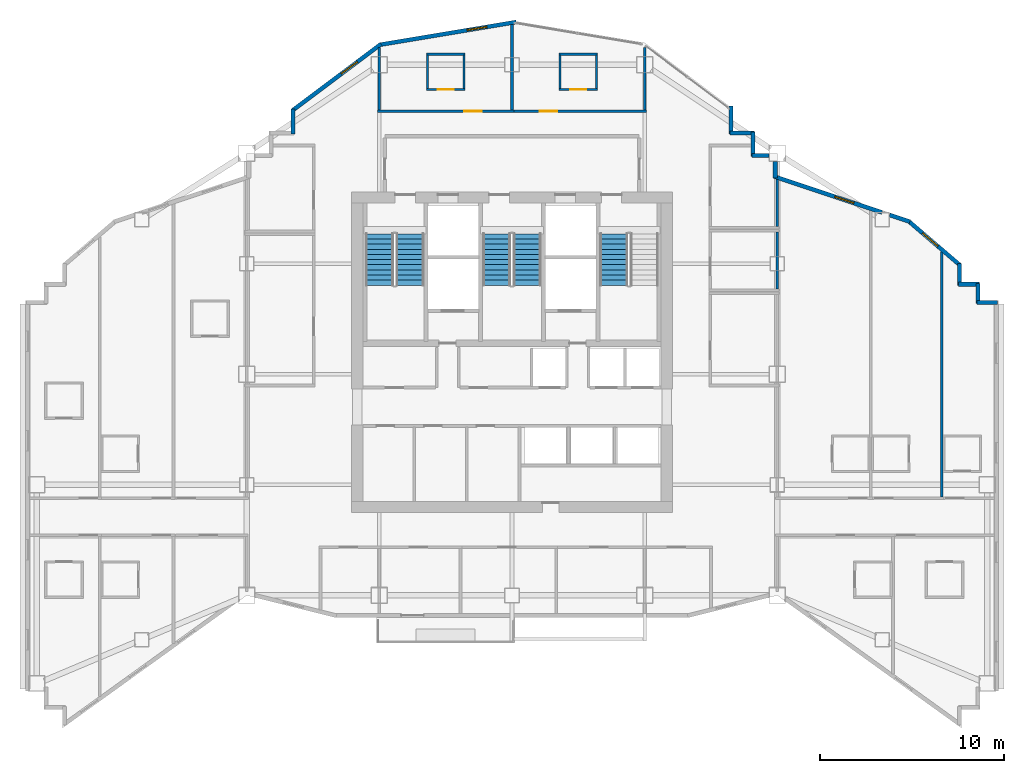
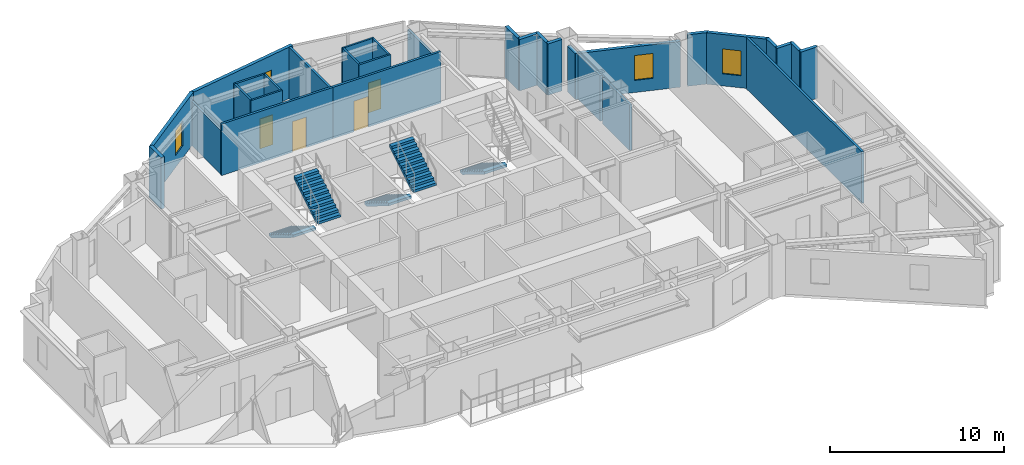
# One storey, part 9 of 13: 31 walls, 5 stair flights, 4 doors, 4 windows, 8 openings, 3 elements without a shape of their own.
"""IFC4 building model written with IfcOpenShell, lengths in metres."""

from ifc_helpers import new_model, si_unit, direction, frame, frame_2d, origin, place, context, subcontext, project, spatial, polyline, rectangle, outline, extrude, material, layer, layer_set, type_object, element, fill, aggregate, save


model = new_model("IFC4")

# Units and contexts
model_context = context("Model", 3, precision=1e-05, world=origin(), true_north=direction((0.0, 1.0)))
body_context = subcontext(model_context, "Body", "Model", "MODEL_VIEW")
ifc_project = project(units=[si_unit("LENGTHUNIT", "METRE"), si_unit("AREAUNIT", "SQUARE_METRE"), si_unit("VOLUMEUNIT", "CUBIC_METRE"), si_unit("PLANEANGLEUNIT", "RADIAN"), si_unit("MASSUNIT", "GRAM", prefix="KILO")], contexts=[model_context])

# Site, building, storey
site_placement = place(None, origin())
site = spatial("IfcSite", under=ifc_project, at=site_placement, CompositionType="ELEMENT")
building_placement = place(site_placement, origin())
building = spatial("IfcBuilding", under=site, at=building_placement, Name="Haolan Belvedere Tower", CompositionType="ELEMENT")
storey_placement = place(building_placement, frame((0.0, 0.0, 219.199951171875)))
storey = spatial("IfcBuildingStorey", under=building, at=storey_placement, Name="L55", CompositionType="ELEMENT", Elevation=219.199951171875)

# Walls
ifc_material_1 = material(Name="Precast concrete C40/50", Category="concrete")
ifc_layer_1 = layer(ifc_material_1, 0.219970703125, Name="Precast concrete C40/50")
ifc_layer_set_1 = layer_set([ifc_layer_1], Name="Precast concrete C40/50")
wall_type_1 = type_object("IfcWallType", Name="WL-EXT-220", PredefinedType="SOLIDWALL", material=ifc_layer_set_1)
wall_1_placement = place(storey_placement, frame((64.7451171875, 37.489990234375, 0.0), z_axis=(0.0, 0.0, 1.0), x_axis=(-1.0, 0.0, 0.0)))
element("IfcWall", 1, at=wall_1_placement, inside=storey, type_object=wall_type_1, Name="L55 pale-metal exterior spandrel wall 9.1", PredefinedType="SOLIDWALL", context=body_context, shape_type="SweptSolid", body=[
    extrude(rectangle(XDim=1.110107421875, YDim=0.219970703125, at=frame_2d((0.55517578125, 0.0))), origin(), (0.0, 0.0, 1.0), 3.6201171875),
])
wall_2_placement = place(storey_placement, frame((63.68994140625, 37.43505859375, 0.0), z_axis=(0.0, 0.0, 1.0), x_axis=(0.0, 1.0, 0.0)))
element("IfcWall", 2, at=wall_2_placement, inside=storey, type_object=wall_type_1, Name="L55 pale-metal exterior spandrel wall 10.1", PredefinedType="SOLIDWALL", context=body_context, shape_type="SweptSolid", body=[
    extrude(rectangle(XDim=1.10986328125, YDim=0.219970703125, at=frame_2d((0.554931640625, 0.0))), origin(), (0.0, 0.0, 1.0), 3.6201171875),
])
wall_3_placement = place(storey_placement, frame((63.7451171875, 38.489990234375, 0.0), z_axis=(0.0, 0.0, 1.0), x_axis=(-1.0, 0.0, 0.0)))
element("IfcWall", 3, at=wall_3_placement, inside=storey, type_object=wall_type_1, Name="L55 pale-metal exterior spandrel wall 11.1", PredefinedType="SOLIDWALL", context=body_context, shape_type="SweptSolid", body=[
    extrude(rectangle(XDim=1.110107421875, YDim=0.219970703125, at=frame_2d((0.55517578125, 0.0))), origin(), (0.0, 0.0, 1.0), 3.6201171875),
])
wall_4_placement = place(storey_placement, frame((62.68994140625, 38.43505859375, 0.0), z_axis=(0.0, 0.0, 1.0), x_axis=(0.0, 1.0, 0.0)))
element("IfcWall", 4, at=wall_4_placement, inside=storey, type_object=wall_type_1, Name="L55 pale-metal exterior spandrel wall 12.1", PredefinedType="SOLIDWALL", context=body_context, shape_type="SweptSolid", body=[
    extrude(rectangle(XDim=1.16943359375, YDim=0.219970703125, at=frame_2d((0.584716796875, 0.0))), origin(), (0.0, 0.0, 1.0), 3.6201171875),
])

# Wall, opening, window
wall_5_placement = place(storey_placement, frame((62.731689453125, 39.513671875, 0.0), z_axis=(0.0, 0.0, 1.0), x_axis=(-0.759251976569, 0.65079677018, 0.0)))
wall_5 = element("IfcWall", 5, at=wall_5_placement, inside=storey, type_object=wall_type_1, Name="L55 pale-metal exterior spandrel wall 13.1", PredefinedType="SOLIDWALL", context=body_context, shape_type="SweptSolid", body=[
    extrude(rectangle(XDim=3.7255859375, YDim=0.219970703125, at=frame_2d((1.86279296875, 0.0))), origin(), (0.0, 0.0, 1.0), 3.6201171875),
])
opening_1_placement = place(wall_5_placement, frame((1.60009765625, 0.0, 0.85009765625)))
opening_1 = element("IfcOpeningElement", 6, at=opening_1_placement, cuts=wall_5, Name="Opening W-03", PredefinedType="OPENING", context=body_context, shape_type="SweptSolid", body=[
    extrude(rectangle(XDim=1.10009765625, YDim=1.75, at=frame_2d((0.550048828125, 0.875))), frame((0.0, 0.119873046875, 0.0), z_axis=(0.0, -1.0, 0.0), x_axis=(1.0, 0.0, 0.0)), (0.0, 0.0, 1.0), 0.239990234375),
])
ifc_material_2 = material(Name="Anodised aluminium 6063-T6 and Low-E glass", Category="aluminium")
window_type = type_object("IfcWindowType", Name="WN-DECO-Z3", PartitioningType="SINGLE_PANEL", PredefinedType="WINDOW", material=ifc_material_2)
window_1_placement = place(opening_1_placement, origin())
window_1 = element("IfcWindow", 7, at=window_1_placement, inside=storey, type_object=window_type, Name="L55 Art Deco chevron window 1", OverallHeight=1.75, OverallWidth=1.10009765625, PartitioningType="SINGLE_PANEL", PredefinedType="WINDOW", context=body_context, shape_type="SweptSolid", body=[
    extrude(rectangle(XDim=1.10009765625, YDim=1.75, at=frame_2d((0.550048828125, 0.875))), frame((0.0, 0.030029296875, 0.0), z_axis=(0.0, -1.0, 0.0), x_axis=(1.0, 0.0, 0.0)), (0.0, 0.0, 1.0), 0.06005859375),
])
fill(opening_1, window_1)

# Wall
wall_6_placement = place(storey_placement, frame((59.9970703125, 41.885009765625, 0.0), z_axis=(0.0, 0.0, 1.0), x_axis=(-0.948662335685, 0.316290646166, 0.0)))
element("IfcWall", 8, at=wall_6_placement, inside=storey, type_object=wall_type_1, Name="L55 pale-metal exterior spandrel wall 14.1", PredefinedType="SOLIDWALL", context=body_context, shape_type="SweptSolid", body=[
    extrude(rectangle(XDim=1.164794921875, YDim=0.219970703125, at=frame_2d((0.58251953125, 0.0))), origin(), (0.0, 0.0, 1.0), 3.6201171875),
])

# Wall, opening, window
wall_7_placement = place(storey_placement, frame((58.476318359375, 42.39208984375, 0.0), z_axis=(0.0, 0.0, 1.0), x_axis=(-0.948691231611, 0.316203964339, 0.0)))
wall_7 = element("IfcWall", 9, at=wall_7_placement, inside=storey, type_object=wall_type_1, Name="L55 pale-metal exterior spandrel wall 14.2", PredefinedType="SOLIDWALL", context=body_context, shape_type="SweptSolid", body=[
    extrude(rectangle(XDim=6.154296875, YDim=0.219970703125, at=frame_2d((3.0771484375, 0.0))), origin(), (0.0, 0.0, 1.0), 3.215087890625),
])
opening_2_placement = place(wall_7_placement, frame((1.60009765625, 0.0, 0.85009765625)))
opening_2 = element("IfcOpeningElement", 10, at=opening_2_placement, cuts=wall_7, Name="Opening W-03", PredefinedType="OPENING", context=body_context, shape_type="SweptSolid", body=[
    extrude(rectangle(XDim=1.10009765625, YDim=1.75, at=frame_2d((0.550048828125, 0.875))), frame((0.0, 0.119873046875, 0.0), z_axis=(0.0, -1.0, 0.0), x_axis=(1.0, 0.0, 0.0)), (0.0, 0.0, 1.0), 0.239990234375),
])
window_2_placement = place(opening_2_placement, origin())
window_2 = element("IfcWindow", 11, at=window_2_placement, inside=storey, type_object=window_type, Name="L55 Art Deco chevron window 1", OverallHeight=1.75, OverallWidth=1.10009765625, PartitioningType="SINGLE_PANEL", PredefinedType="WINDOW", context=body_context, shape_type="SweptSolid", body=[
    extrude(rectangle(XDim=1.10009765625, YDim=1.75, at=frame_2d((0.550048828125, 0.875))), frame((0.0, 0.030029296875, 0.0), z_axis=(0.0, -1.0, 0.0), x_axis=(1.0, 0.0, 0.0)), (0.0, 0.0, 1.0), 0.06005859375),
])
fill(opening_2, window_2)

# Walls
wall_8_placement = place(storey_placement, frame((52.68994140625, 44.265625, 0.0), z_axis=(0.0, 0.0, 1.0), x_axis=(0.0, 1.0, 0.0)))
element("IfcWall", 12, at=wall_8_placement, inside=storey, type_object=wall_type_1, Name="L55 pale-metal exterior spandrel wall 15.1", PredefinedType="SOLIDWALL", context=body_context, shape_type="SweptSolid", body=[
    extrude(rectangle(XDim=0.892333984375, YDim=0.219970703125, at=frame_2d((0.4462890625, 0.0))), origin(), (0.0, 0.0, 1.0), 3.215087890625),
])
wall_9_placement = place(storey_placement, frame((52.35791015625, 45.489990234375, 0.0), z_axis=(0.0, 0.0, 1.0), x_axis=(-1.0, 0.0, 0.0)))
element("IfcWall", 13, at=wall_9_placement, inside=storey, type_object=wall_type_1, Name="L55 pale-metal exterior spandrel wall 16.1", PredefinedType="SOLIDWALL", context=body_context, shape_type="SweptSolid", body=[
    extrude(rectangle(XDim=0.9228515625, YDim=0.219970703125, at=frame_2d((0.46142578125, 0.0))), origin(), (0.0, 0.0, 1.0), 3.6201171875),
])
wall_10_placement = place(storey_placement, frame((51.489990234375, 45.43505859375, 0.0), z_axis=(0.0, 0.0, 1.0), x_axis=(0.0, 1.0, 0.0)))
element("IfcWall", 14, at=wall_10_placement, inside=storey, type_object=wall_type_1, Name="L55 pale-metal exterior spandrel wall 17.1", PredefinedType="SOLIDWALL", context=body_context, shape_type="SweptSolid", body=[
    extrude(rectangle(XDim=1.31005859375, YDim=0.219970703125, at=frame_2d((0.655029296875, 0.0))), origin(), (0.0, 0.0, 1.0), 3.6201171875),
])
wall_11_placement = place(storey_placement, frame((51.544921875, 46.68994140625, 0.0), z_axis=(0.0, 0.0, 1.0), x_axis=(-1.0, 0.0, 0.0)))
element("IfcWall", 15, at=wall_11_placement, inside=storey, type_object=wall_type_1, Name="L55 pale-metal exterior spandrel wall 18.1", PredefinedType="SOLIDWALL", context=body_context, shape_type="SweptSolid", body=[
    extrude(rectangle(XDim=1.309814453125, YDim=0.219970703125, at=frame_2d((0.65478515625, 0.0))), origin(), (0.0, 0.0, 1.0), 3.6201171875),
])
wall_12_placement = place(storey_placement, frame((50.2900390625, 46.635009765625, 0.0), z_axis=(0.0, 0.0, 1.0), x_axis=(0.0, 1.0, 0.0)))
element("IfcWall", 16, at=wall_12_placement, inside=storey, type_object=wall_type_1, Name="L55 pale-metal exterior spandrel wall 19.1", PredefinedType="SOLIDWALL", context=body_context, shape_type="SweptSolid", body=[
    extrude(rectangle(XDim=1.534912109375, YDim=0.219970703125, at=frame_2d((0.767578125, 0.0))), origin(), (0.0, 0.0, 1.0), 3.6201171875),
])

# Wall, opening, window
wall_13_placement = place(storey_placement, frame((38.621826171875, 52.7255859375, 0.0), z_axis=(0.0, 0.0, 1.0), x_axis=(-0.986390420428, -0.164420006349, 0.0)))
wall_13 = element("IfcWall", 17, at=wall_13_placement, inside=storey, type_object=wall_type_1, Name="L55 pale-metal exterior spandrel wall 22.1", PredefinedType="SOLIDWALL", context=body_context, shape_type="SweptSolid", body=[
    extrude(rectangle(XDim=7.5341796875, YDim=0.219970703125, at=frame_2d((3.76708984375, 0.0))), origin(), (0.0, 0.0, 1.0), 3.6201171875),
])
opening_3_placement = place(wall_13_placement, frame((1.60009765625, 0.0, 0.85009765625)))
opening_3 = element("IfcOpeningElement", 18, at=opening_3_placement, cuts=wall_13, Name="Opening W-03", PredefinedType="OPENING", context=body_context, shape_type="SweptSolid", body=[
    extrude(rectangle(XDim=1.10009765625, YDim=1.75, at=frame_2d((0.550048828125, 0.875))), frame((0.0, 0.119873046875, 0.0), z_axis=(0.0, -1.0, 0.0), x_axis=(1.0, 0.0, 0.0)), (0.0, 0.0, 1.0), 0.239990234375),
])
window_3_placement = place(opening_3_placement, origin())
window_3 = element("IfcWindow", 19, at=window_3_placement, inside=storey, type_object=window_type, Name="L55 Art Deco chevron window 1", OverallHeight=1.75, OverallWidth=1.10009765625, PartitioningType="SINGLE_PANEL", PredefinedType="WINDOW", context=body_context, shape_type="SweptSolid", body=[
    extrude(rectangle(XDim=1.10009765625, YDim=1.75, at=frame_2d((0.550048828125, 0.875))), frame((0.0, 0.030029296875, 0.0), z_axis=(0.0, -1.0, 0.0), x_axis=(1.0, 0.0, 0.0)), (0.0, 0.0, 1.0), 0.06005859375),
])
fill(opening_3, window_3)

wall_14_placement = place(storey_placement, frame((31.28857421875, 51.52880859375, 0.0), z_axis=(0.0, 0.0, 1.0), x_axis=(-0.800014580093, -0.599980559383, 0.0)))
wall_14 = element("IfcWall", 20, at=wall_14_placement, inside=storey, type_object=wall_type_1, Name="L55 pale-metal exterior spandrel wall 23.1", PredefinedType="SOLIDWALL", context=body_context, shape_type="SweptSolid", body=[
    extrude(rectangle(XDim=6.028076171875, YDim=0.219970703125, at=frame_2d((3.01416015625, 0.0))), origin(), (0.0, 0.0, 1.0), 3.6201171875),
])
opening_4_placement = place(wall_14_placement, frame((1.60009765625, 0.0, 0.85009765625)))
opening_4 = element("IfcOpeningElement", 21, at=opening_4_placement, cuts=wall_14, Name="Opening W-03", PredefinedType="OPENING", context=body_context, shape_type="SweptSolid", body=[
    extrude(rectangle(XDim=1.10009765625, YDim=1.75, at=frame_2d((0.550048828125, 0.875))), frame((0.0, 0.119873046875, 0.0), z_axis=(0.0, -1.0, 0.0), x_axis=(1.0, 0.0, 0.0)), (0.0, 0.0, 1.0), 0.239990234375),
])
window_4_placement = place(opening_4_placement, origin())
window_4 = element("IfcWindow", 22, at=window_4_placement, inside=storey, type_object=window_type, Name="L55 Art Deco chevron window 1", OverallHeight=1.75, OverallWidth=1.10009765625, PartitioningType="SINGLE_PANEL", PredefinedType="WINDOW", context=body_context, shape_type="SweptSolid", body=[
    extrude(rectangle(XDim=1.10009765625, YDim=1.75, at=frame_2d((0.550048828125, 0.875))), frame((0.0, 0.030029296875, 0.0), z_axis=(0.0, -1.0, 0.0), x_axis=(1.0, 0.0, 0.0)), (0.0, 0.0, 1.0), 0.06005859375),
])
fill(opening_4, window_4)

# Walls
wall_15_placement = place(storey_placement, frame((26.510009765625, 48.0, 0.0), z_axis=(0.0, 0.0, 1.0), x_axis=(0.0, -1.0, 0.0)))
element("IfcWall", 23, at=wall_15_placement, inside=storey, type_object=wall_type_1, Name="L55 pale-metal exterior spandrel wall 24.1", PredefinedType="SOLIDWALL", context=body_context, shape_type="SweptSolid", body=[
    extrude(rectangle(XDim=1.364990234375, YDim=0.219970703125, at=frame_2d((0.6826171875, 0.0))), origin(), (0.0, 0.0, 1.0), 3.6201171875),
])
ifc_material_3 = material(Name="Double gypsum acoustic stud partition", Category="masonry")
ifc_layer_2 = layer(ifc_material_3, 0.14990234375, Name="Double gypsum acoustic stud partition")
ifc_layer_set_2 = layer_set([ifc_layer_2], Name="Double gypsum acoustic stud partition")
wall_type_2 = type_object("IfcWallType", Name="WL-PART-150", PredefinedType="PARTITIONING", material=ifc_layer_set_2)
wall_16_placement = place(storey_placement, frame((52.800048828125, 38.219970703125, 0.0), z_axis=(0.0, 0.0, 1.0), x_axis=(0.0, 1.0, 0.0)))
element("IfcWall", 24, at=wall_16_placement, inside=storey, type_object=wall_type_2, Name="L55 interior partition IW-L55-AWC-E", PredefinedType="PARTITIONING", context=body_context, shape_type="SweptSolid", body=[
    extrude(rectangle(XDim=3.1201171875, YDim=0.14990234375, at=frame_2d((1.56005859375, 0.0))), origin(), (0.0, 0.0, 1.0), 3.215087890625),
])
wall_17_placement = place(storey_placement, frame((52.800048828125, 41.6201171875, 0.0), z_axis=(0.0, 0.0, 1.0), x_axis=(0.0, 1.0, 0.0)))
element("IfcWall", 25, at=wall_17_placement, inside=storey, type_object=wall_type_2, Name="L55 interior partition IW-L55-CLN-E", PredefinedType="PARTITIONING", context=body_context, shape_type="SweptSolid", body=[
    extrude(rectangle(XDim=2.556396484375, YDim=0.14990234375, at=frame_2d((1.2783203125, 0.0))), origin(), (0.0, 0.0, 1.0), 3.215087890625),
])

# Wall, opening, door
wall_18_placement = place(storey_placement, frame((31.10009765625, 47.8798828125, 0.0), z_axis=(0.0, 0.0, 1.0), x_axis=(1.0, 0.0, 0.0)))
wall_18 = element("IfcWall", 26, at=wall_18_placement, inside=storey, type_object=wall_type_2, Name="L55 interior partition IW-L55-KN2-S", PredefinedType="PARTITIONING", context=body_context, shape_type="SweptSolid", body=[
    extrude(rectangle(XDim=7.39990234375, YDim=0.14990234375, at=frame_2d((3.699951171875, 0.0))), origin(), (0.0, 0.0, 1.0), 3.6201171875),
])
opening_5_placement = place(wall_18_placement, frame((4.713623046875, 0.0, 0.0)))
opening_5 = element("IfcOpeningElement", 27, at=opening_5_placement, cuts=wall_18, Name="Opening ID-02", PredefinedType="OPENING", context=body_context, shape_type="SweptSolid", body=[
    extrude(rectangle(XDim=0.949951171875, YDim=2.14990234375, at=frame_2d((0.47509765625, 1.074951171875))), frame((0.0, 0.0849609375, 0.0), z_axis=(0.0, -1.0, 0.0), x_axis=(1.0, 0.0, 0.0)), (0.0, 0.0, 1.0), 0.169921875),
])
ifc_material_4 = material(Name="Acoustic oak veneer fire-rated timber", Category="wood")
door_type_1 = type_object("IfcDoorType", Name="DR-GUEST-950", OperationType="NOTDEFINED", PredefinedType="DOOR", material=ifc_material_4)
door_1_placement = place(opening_5_placement, origin())
door_1 = element("IfcDoor", 28, at=door_1_placement, inside=storey, type_object=door_type_1, Name="L55 door ID-L55-KN2-ENT", OperationType="SINGLE_SWING_LEFT", OverallHeight=2.14990234375, OverallWidth=0.949951171875, PredefinedType="DOOR", context=body_context, shape_type="SweptSolid", body=[
    extrude(rectangle(XDim=0.949951171875, YDim=2.14990234375, at=frame_2d((0.47509765625, 1.074951171875))), frame((0.0, 0.02490234375, 0.0), z_axis=(0.0, -1.0, 0.0), x_axis=(1.0, 0.0, 0.0)), (0.0, 0.0, 1.0), 0.050048828125),
])
fill(opening_5, door_1)

# Walls
wall_19_placement = place(storey_placement, frame((31.199951171875, 47.93994140625, 0.0), z_axis=(0.0, 0.0, 1.0), x_axis=(0.0, 1.0, 0.0)))
element("IfcWall", 29, at=wall_19_placement, inside=storey, type_object=wall_type_2, Name="L55 interior partition IW-L55-KN2-W", PredefinedType="PARTITIONING", context=body_context, shape_type="SweptSolid", body=[
    extrude(rectangle(XDim=3.39501953125, YDim=0.14990234375, at=frame_2d((1.697509765625, 0.0))), origin(), (0.0, 0.0, 1.0), 3.10498046875),
])
wall_20_placement = place(storey_placement, frame((38.39990234375, 47.93994140625, 0.0), z_axis=(0.0, 0.0, 1.0), x_axis=(0.0, 1.0, 0.0)))
element("IfcWall", 30, at=wall_20_placement, inside=storey, type_object=wall_type_2, Name="L55 interior partition IW-L55-KN2-E", PredefinedType="PARTITIONING", context=body_context, shape_type="SweptSolid", body=[
    extrude(rectangle(XDim=4.645263671875, YDim=0.14990234375, at=frame_2d((2.32275390625, 0.0))), origin(), (0.0, 0.0, 1.0), 3.6201171875),
])

# Wall, opening, door
wall_21_placement = place(storey_placement, frame((38.501953125, 47.8798828125, 0.0), z_axis=(0.0, 0.0, 1.0), x_axis=(1.0, 0.0, 0.0)))
wall_21 = element("IfcWall", 31, at=wall_21_placement, inside=storey, type_object=wall_type_2, Name="L55 interior partition IW-L55-KN3-S", PredefinedType="PARTITIONING", context=body_context, shape_type="SweptSolid", body=[
    extrude(rectangle(XDim=7.197998046875, YDim=0.14990234375, at=frame_2d((3.59912109375, 0.0))), origin(), (0.0, 0.0, 1.0), 3.6201171875),
])
opening_6_placement = place(wall_21_placement, frame((1.41748046875, 0.0, 0.0)))
opening_6 = element("IfcOpeningElement", 32, at=opening_6_placement, cuts=wall_21, Name="Opening ID-02", PredefinedType="OPENING", context=body_context, shape_type="SweptSolid", body=[
    extrude(rectangle(XDim=0.949951171875, YDim=2.14990234375, at=frame_2d((0.47509765625, 1.074951171875))), frame((0.0, 0.0849609375, 0.0), z_axis=(0.0, -1.0, 0.0), x_axis=(1.0, 0.0, 0.0)), (0.0, 0.0, 1.0), 0.169921875),
])
door_2_placement = place(opening_6_placement, origin())
door_2 = element("IfcDoor", 33, at=door_2_placement, inside=storey, type_object=door_type_1, Name="L55 door ID-L55-KN3-ENT", OperationType="SINGLE_SWING_RIGHT", OverallHeight=2.14990234375, OverallWidth=0.949951171875, PredefinedType="DOOR", context=body_context, shape_type="SweptSolid", body=[
    extrude(rectangle(XDim=0.949951171875, YDim=2.14990234375, at=frame_2d((0.47509765625, 1.074951171875))), frame((0.0, 0.02490234375, 0.0), z_axis=(0.0, -1.0, 0.0), x_axis=(1.0, 0.0, 0.0)), (0.0, 0.0, 1.0), 0.050048828125),
])
fill(opening_6, door_2)

# Walls
wall_22_placement = place(storey_placement, frame((45.60009765625, 47.93994140625, 0.0), z_axis=(0.0, 0.0, 1.0), x_axis=(0.0, 1.0, 0.0)))
element("IfcWall", 34, at=wall_22_placement, inside=storey, type_object=wall_type_2, Name="L55 interior partition IW-L55-KN3-E", PredefinedType="PARTITIONING", context=body_context, shape_type="SweptSolid", body=[
    extrude(rectangle(XDim=3.39501953125, YDim=0.14990234375, at=frame_2d((1.697509765625, 0.0))), origin(), (0.0, 0.0, 1.0), 3.10498046875),
])
wall_23_placement = place(storey_placement, frame((61.72998046875, 26.93994140625, 0.0), z_axis=(0.0, 0.0, 1.0), x_axis=(0.0, 1.0, 0.0)))
element("IfcWall", 35, at=wall_23_placement, inside=storey, type_object=wall_type_2, Name="L55 interior partition IW-L55-T4N2-E", PredefinedType="PARTITIONING", context=body_context, shape_type="SweptSolid", body=[
    extrude(rectangle(XDim=13.2978515625, YDim=0.14990234375, at=frame_2d((6.64892578125, 0.0))), origin(), (0.0, 0.0, 1.0), 3.6201171875),
])
ifc_material_5 = material(Name="Moisture-resistant gypsum tile partition", Category="masonry")
ifc_layer_3 = layer(ifc_material_5, 0.1201171875, Name="Moisture-resistant gypsum tile partition")
ifc_layer_set_3 = layer_set([ifc_layer_3], Name="Moisture-resistant gypsum tile partition")
wall_type_3 = type_object("IfcWallType", Name="WL-WET-120", PredefinedType="PARTITIONING", material=ifc_layer_set_3)
wall_24_placement = place(storey_placement, frame((33.75, 50.97998046875, 0.0), z_axis=(0.0, 0.0, 1.0), x_axis=(1.0, 0.0, 0.0)))
element("IfcWall", 36, at=wall_24_placement, inside=storey, type_object=wall_type_3, Name="L55 interior partition IW-L55-KN2-BN", PredefinedType="PARTITIONING", context=body_context, shape_type="SweptSolid", body=[
    extrude(rectangle(XDim=2.10009765625, YDim=0.1201171875, at=frame_2d((1.050048828125, 0.0))), origin(), (0.0, 0.0, 1.0), 3.6201171875),
])

# Wall, opening, door
wall_25_placement = place(storey_placement, frame((33.75, 49.06005859375, 0.0), z_axis=(0.0, 0.0, 1.0), x_axis=(1.0, 0.0, 0.0)))
wall_25 = element("IfcWall", 37, at=wall_25_placement, inside=storey, type_object=wall_type_3, Name="L55 interior partition IW-L55-KN2-BS", PredefinedType="PARTITIONING", context=body_context, shape_type="SweptSolid", body=[
    extrude(rectangle(XDim=2.10009765625, YDim=0.1201171875, at=frame_2d((1.050048828125, 0.0))), origin(), (0.0, 0.0, 1.0), 3.6201171875),
])
opening_7_placement = place(wall_25_placement, frame((0.625, 0.0, 0.0)))
opening_7 = element("IfcOpeningElement", 38, at=opening_7_placement, cuts=wall_25, Name="Opening ID-05", PredefinedType="OPENING", context=body_context, shape_type="SweptSolid", body=[
    extrude(rectangle(XDim=0.85009765625, YDim=2.10009765625, at=frame_2d((0.425048828125, 1.050048828125))), frame((0.0, 0.070068359375, 0.0), z_axis=(0.0, -1.0, 0.0), x_axis=(1.0, 0.0, 0.0)), (0.0, 0.0, 1.0), 0.14013671875),
])
ifc_material_6 = material(Name="Moisture-resistant lacquered timber", Category="wood")
door_type_2 = type_object("IfcDoorType", Name="DR-BATH-850", OperationType="NOTDEFINED", PredefinedType="DOOR", material=ifc_material_6)
door_3_placement = place(opening_7_placement, origin())
door_3 = element("IfcDoor", 39, at=door_3_placement, inside=storey, type_object=door_type_2, Name="L55 door ID-L55-KN2-BATH", OperationType="SINGLE_SWING_RIGHT", OverallHeight=2.10009765625, OverallWidth=0.85009765625, PredefinedType="DOOR", context=body_context, shape_type="SweptSolid", body=[
    extrude(rectangle(XDim=0.85009765625, YDim=2.10009765625, at=frame_2d((0.425048828125, 1.050048828125))), frame((0.0, 0.02490234375, 0.0), z_axis=(0.0, -1.0, 0.0), x_axis=(1.0, 0.0, 0.0)), (0.0, 0.0, 1.0), 0.050048828125),
])
fill(opening_7, door_3)

# Walls
for number, where, z_axis, x_axis, name in (
    (40, (33.81005859375, 49.10498046875, 0.0), (0.0, 0.0, 1.0), (0.0, 1.0, 0.0), "L55 interior partition IW-L55-KN2-BW"),
    (41, (35.7900390625, 49.10498046875, 0.0), (0.0, 0.0, 1.0), (0.0, 1.0, 0.0), "L55 interior partition IW-L55-KN2-BE"),
):
    element("IfcWall", number, at=place(storey_placement, frame(where, z_axis=z_axis, x_axis=x_axis)), inside=storey, type_object=wall_type_3, Name=name, PredefinedType="PARTITIONING", context=body_context, shape_type="SweptSolid", body=[
        extrude(rectangle(XDim=1.830078125, YDim=0.1201171875, at=frame_2d((0.9150390625, 0.0))), origin(), (0.0, 0.0, 1.0), 3.6201171875),
    ])
wall_26_placement = place(storey_placement, frame((40.949951171875, 50.97998046875, 0.0), z_axis=(0.0, 0.0, 1.0), x_axis=(1.0, 0.0, 0.0)))
element("IfcWall", 42, at=wall_26_placement, inside=storey, type_object=wall_type_3, Name="L55 interior partition IW-L55-KN3-BN", PredefinedType="PARTITIONING", context=body_context, shape_type="SweptSolid", body=[
    extrude(rectangle(XDim=2.10009765625, YDim=0.1201171875, at=frame_2d((1.050048828125, 0.0))), origin(), (0.0, 0.0, 1.0), 3.6201171875),
])

# Wall, opening, door
wall_27_placement = place(storey_placement, frame((40.949951171875, 49.06005859375, 0.0), z_axis=(0.0, 0.0, 1.0), x_axis=(1.0, 0.0, 0.0)))
wall_27 = element("IfcWall", 43, at=wall_27_placement, inside=storey, type_object=wall_type_3, Name="L55 interior partition IW-L55-KN3-BS", PredefinedType="PARTITIONING", context=body_context, shape_type="SweptSolid", body=[
    extrude(rectangle(XDim=2.10009765625, YDim=0.1201171875, at=frame_2d((1.050048828125, 0.0))), origin(), (0.0, 0.0, 1.0), 3.6201171875),
])
opening_8_placement = place(wall_27_placement, frame((0.625, 0.0, 0.0)))
opening_8 = element("IfcOpeningElement", 44, at=opening_8_placement, cuts=wall_27, Name="Opening ID-05", PredefinedType="OPENING", context=body_context, shape_type="SweptSolid", body=[
    extrude(rectangle(XDim=0.85009765625, YDim=2.10009765625, at=frame_2d((0.425048828125, 1.050048828125))), frame((0.0, 0.070068359375, 0.0), z_axis=(0.0, -1.0, 0.0), x_axis=(1.0, 0.0, 0.0)), (0.0, 0.0, 1.0), 0.14013671875),
])
door_4_placement = place(opening_8_placement, origin())
door_4 = element("IfcDoor", 45, at=door_4_placement, inside=storey, type_object=door_type_2, Name="L55 door ID-L55-KN3-BATH", OperationType="SINGLE_SWING_LEFT", OverallHeight=2.10009765625, OverallWidth=0.85009765625, PredefinedType="DOOR", context=body_context, shape_type="SweptSolid", body=[
    extrude(rectangle(XDim=0.85009765625, YDim=2.10009765625, at=frame_2d((0.425048828125, 1.050048828125))), frame((0.0, 0.02490234375, 0.0), z_axis=(0.0, -1.0, 0.0), x_axis=(1.0, 0.0, 0.0)), (0.0, 0.0, 1.0), 0.050048828125),
])
fill(opening_8, door_4)

# Walls
for number, where, z_axis, x_axis, name in (
    (46, (41.010009765625, 49.10498046875, 0.0), (0.0, 0.0, 1.0), (0.0, 1.0, 0.0), "L55 interior partition IW-L55-KN3-BW"),
    (47, (42.989990234375, 49.10498046875, 0.0), (0.0, 0.0, 1.0), (0.0, 1.0, 0.0), "L55 interior partition IW-L55-KN3-BE"),
):
    element("IfcWall", number, at=place(storey_placement, frame(where, z_axis=z_axis, x_axis=x_axis)), inside=storey, type_object=wall_type_3, Name=name, PredefinedType="PARTITIONING", context=body_context, shape_type="SweptSolid", body=[
        extrude(rectangle(XDim=1.830078125, YDim=0.1201171875, at=frame_2d((0.9150390625, 0.0))), origin(), (0.0, 0.0, 1.0), 3.6201171875),
    ])

# Stair, stair flights
ifc_material_7 = material(Name="Concrete C40/50", Category="concrete")
stair_type = type_object("IfcStairType", Name="STR-DL-22R-173", PredefinedType="HALF_TURN_STAIR", material=ifc_material_7)
stair_1_placement = place(storey_placement, origin())
stair_1 = element("IfcStair", 48, at=stair_1_placement, inside=storey, type_object=stair_type, Name="L55 Smokeproof Core Exit Stair ST1", PredefinedType="HALF_TURN_STAIR")
stair_flight_type = type_object("IfcStairFlightType", Name="SFL-DL-11R-173", PredefinedType="STRAIGHT", material=ifc_material_7)
stair_flight_1_placement = place(storey_placement, frame((31.2099609375, 41.22998046875, 0.0), z_axis=(0.0, 0.0, 1.0), x_axis=(0.0, -1.0, 0.0)))
stair_flight_1 = element("IfcStairFlight", 49, at=stair_flight_1_placement, type_object=stair_flight_type, Name="ST1 flight 1", NumberOfRisers=11, NumberOfTreads=10, PredefinedType="STRAIGHT", RiserHeight=0.172727273, TreadLength=0.28, context=body_context, shape_type="SweptSolid", body=[
    extrude(outline(polyline([(0.0, 0.0), (0.0, 0.172607421875), (0.280029296875, 0.172607421875), (0.280029296875, 0.345458984375), (0.56005859375, 0.345458984375), (0.56005859375, 0.51806640625), (0.840087890625, 0.51806640625), (0.840087890625, 0.69091796875), (1.1201171875, 0.69091796875), (1.1201171875, 0.863525390625), (1.39990234375, 0.863525390625), (1.39990234375, 1.036376953125), (1.679931640625, 1.036376953125), (1.679931640625, 1.208984375), (1.9599609375, 1.208984375), (1.9599609375, 1.3818359375), (2.239990234375, 1.3818359375), (2.239990234375, 1.554443359375), (2.52001953125, 1.554443359375), (2.52001953125, 1.727294921875), (2.800048828125, 1.727294921875), (2.800048828125, 1.89990234375), (2.800048828125, 1.551025390625), (0.285400390625, 0.0), (0.0, 0.0)])), frame((0.0, 0.760009765625, 0.0), z_axis=(0.0, -1.0, 0.0), x_axis=(1.0, 0.0, 0.0)), (0.0, 0.0, 1.0), 1.52001953125),
])
stair_flight_2_placement = place(storey_placement, frame((32.8701171875, 38.429931640625, 1.900146484375), z_axis=(0.0, 0.0, 1.0), x_axis=(0.0, 1.0, 0.0)))
stair_flight_2 = element("IfcStairFlight", 50, at=stair_flight_2_placement, type_object=stair_flight_type, Name="ST1 flight 2", NumberOfRisers=11, NumberOfTreads=10, PredefinedType="STRAIGHT", RiserHeight=0.172727273, TreadLength=0.28, context=body_context, shape_type="SweptSolid", body=[
    extrude(outline(polyline([(0.0, 0.0), (0.0, 0.172607421875), (0.280029296875, 0.172607421875), (0.280029296875, 0.345458984375), (0.56005859375, 0.345458984375), (0.56005859375, 0.51806640625), (0.840087890625, 0.51806640625), (0.840087890625, 0.69091796875), (1.1201171875, 0.69091796875), (1.1201171875, 0.863525390625), (1.39990234375, 0.863525390625), (1.39990234375, 1.036376953125), (1.679931640625, 1.036376953125), (1.679931640625, 1.208984375), (1.9599609375, 1.208984375), (1.9599609375, 1.3818359375), (2.239990234375, 1.3818359375), (2.239990234375, 1.554443359375), (2.52001953125, 1.554443359375), (2.52001953125, 1.727294921875), (2.800048828125, 1.727294921875), (2.800048828125, 1.89990234375), (2.800048828125, 1.551025390625), (0.285400390625, 0.0), (0.0, 0.0)])), frame((0.0, 0.760009765625, 0.0), z_axis=(0.0, -1.0, 0.0), x_axis=(1.0, 0.0, 0.0)), (0.0, 0.0, 1.0), 1.52001953125),
])
aggregate(stair_1, [stair_flight_1, stair_flight_2])

stair_2_placement = place(storey_placement, origin())
stair_2 = element("IfcStair", 51, at=stair_2_placement, inside=storey, type_object=stair_type, Name="L55 Smokeproof Core Exit Stair ST3", PredefinedType="HALF_TURN_STAIR")
stair_flight_3_placement = place(storey_placement, frame((37.570068359375, 41.22998046875, 0.0), z_axis=(0.0, 0.0, 1.0), x_axis=(0.0, -1.0, 0.0)))
stair_flight_3 = element("IfcStairFlight", 52, at=stair_flight_3_placement, type_object=stair_flight_type, Name="ST3 flight 1", NumberOfRisers=11, NumberOfTreads=10, PredefinedType="STRAIGHT", RiserHeight=0.172727273, TreadLength=0.28, context=body_context, shape_type="SweptSolid", body=[
    extrude(outline(polyline([(0.0, 0.0), (0.0, 0.172607421875), (0.280029296875, 0.172607421875), (0.280029296875, 0.345458984375), (0.56005859375, 0.345458984375), (0.56005859375, 0.51806640625), (0.840087890625, 0.51806640625), (0.840087890625, 0.69091796875), (1.1201171875, 0.69091796875), (1.1201171875, 0.863525390625), (1.39990234375, 0.863525390625), (1.39990234375, 1.036376953125), (1.679931640625, 1.036376953125), (1.679931640625, 1.208984375), (1.9599609375, 1.208984375), (1.9599609375, 1.3818359375), (2.239990234375, 1.3818359375), (2.239990234375, 1.554443359375), (2.52001953125, 1.554443359375), (2.52001953125, 1.727294921875), (2.800048828125, 1.727294921875), (2.800048828125, 1.89990234375), (2.800048828125, 1.551025390625), (0.285400390625, 0.0), (0.0, 0.0)])), frame((0.0, 0.760009765625, 0.0), z_axis=(0.0, -1.0, 0.0), x_axis=(1.0, 0.0, 0.0)), (0.0, 0.0, 1.0), 1.52001953125),
])
stair_flight_4_placement = place(storey_placement, frame((39.22998046875, 38.429931640625, 1.900146484375), z_axis=(0.0, 0.0, 1.0), x_axis=(0.0, 1.0, 0.0)))
stair_flight_4 = element("IfcStairFlight", 53, at=stair_flight_4_placement, type_object=stair_flight_type, Name="ST3 flight 2", NumberOfRisers=11, NumberOfTreads=10, PredefinedType="STRAIGHT", RiserHeight=0.172727273, TreadLength=0.28, context=body_context, shape_type="SweptSolid", body=[
    extrude(outline(polyline([(0.0, 0.0), (0.0, 0.172607421875), (0.280029296875, 0.172607421875), (0.280029296875, 0.345458984375), (0.56005859375, 0.345458984375), (0.56005859375, 0.51806640625), (0.840087890625, 0.51806640625), (0.840087890625, 0.69091796875), (1.1201171875, 0.69091796875), (1.1201171875, 0.863525390625), (1.39990234375, 0.863525390625), (1.39990234375, 1.036376953125), (1.679931640625, 1.036376953125), (1.679931640625, 1.208984375), (1.9599609375, 1.208984375), (1.9599609375, 1.3818359375), (2.239990234375, 1.3818359375), (2.239990234375, 1.554443359375), (2.52001953125, 1.554443359375), (2.52001953125, 1.727294921875), (2.800048828125, 1.727294921875), (2.800048828125, 1.89990234375), (2.800048828125, 1.551025390625), (0.285400390625, 0.0), (0.0, 0.0)])), frame((0.0, 0.760009765625, 0.0), z_axis=(0.0, -1.0, 0.0), x_axis=(1.0, 0.0, 0.0)), (0.0, 0.0, 1.0), 1.52001953125),
])
aggregate(stair_2, [stair_flight_3, stair_flight_4])

# Stair, stair flight
stair_3_placement = place(storey_placement, origin())
stair_3 = element("IfcStair", 54, at=stair_3_placement, inside=storey, type_object=stair_type, Name="L55 Smokeproof Core Exit Stair ST2", PredefinedType="HALF_TURN_STAIR")
stair_flight_5_placement = place(storey_placement, frame((43.929931640625, 41.22998046875, 0.0), z_axis=(0.0, 0.0, 1.0), x_axis=(0.0, -1.0, 0.0)))
stair_flight_5 = element("IfcStairFlight", 55, at=stair_flight_5_placement, type_object=stair_flight_type, Name="ST2 flight 1", NumberOfRisers=11, NumberOfTreads=10, PredefinedType="STRAIGHT", RiserHeight=0.172727273, TreadLength=0.28, context=body_context, shape_type="SweptSolid", body=[
    extrude(outline(polyline([(0.0, 0.0), (0.0, 0.172607421875), (0.280029296875, 0.172607421875), (0.280029296875, 0.345458984375), (0.56005859375, 0.345458984375), (0.56005859375, 0.51806640625), (0.840087890625, 0.51806640625), (0.840087890625, 0.69091796875), (1.1201171875, 0.69091796875), (1.1201171875, 0.863525390625), (1.39990234375, 0.863525390625), (1.39990234375, 1.036376953125), (1.679931640625, 1.036376953125), (1.679931640625, 1.208984375), (1.9599609375, 1.208984375), (1.9599609375, 1.3818359375), (2.239990234375, 1.3818359375), (2.239990234375, 1.554443359375), (2.52001953125, 1.554443359375), (2.52001953125, 1.727294921875), (2.800048828125, 1.727294921875), (2.800048828125, 1.89990234375), (2.800048828125, 1.551025390625), (0.285400390625, 0.0), (0.0, 0.0)])), frame((0.0, 0.760009765625, 0.0), z_axis=(0.0, -1.0, 0.0), x_axis=(1.0, 0.0, 0.0)), (0.0, 0.0, 1.0), 1.52001953125),
])
aggregate(stair_3, [stair_flight_5])

save(model, "model.ifc")
